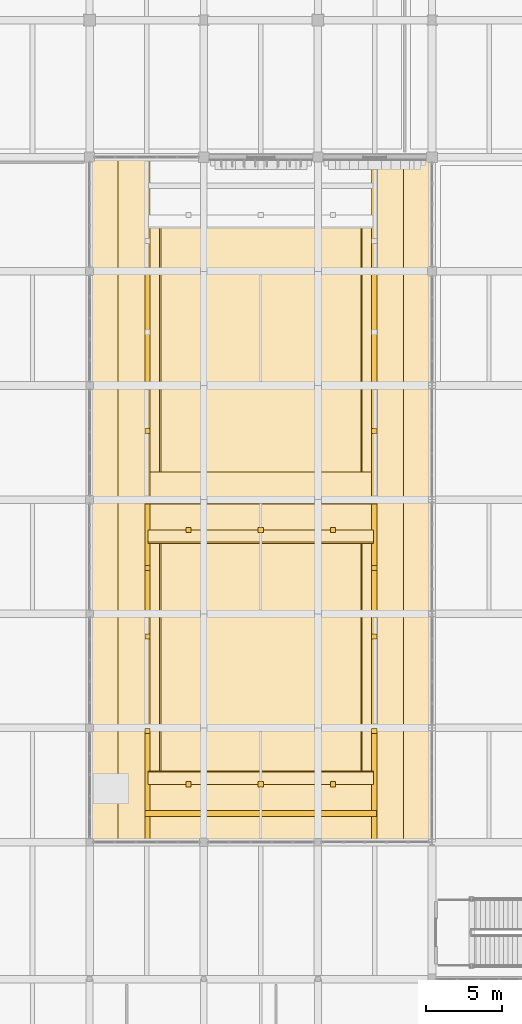
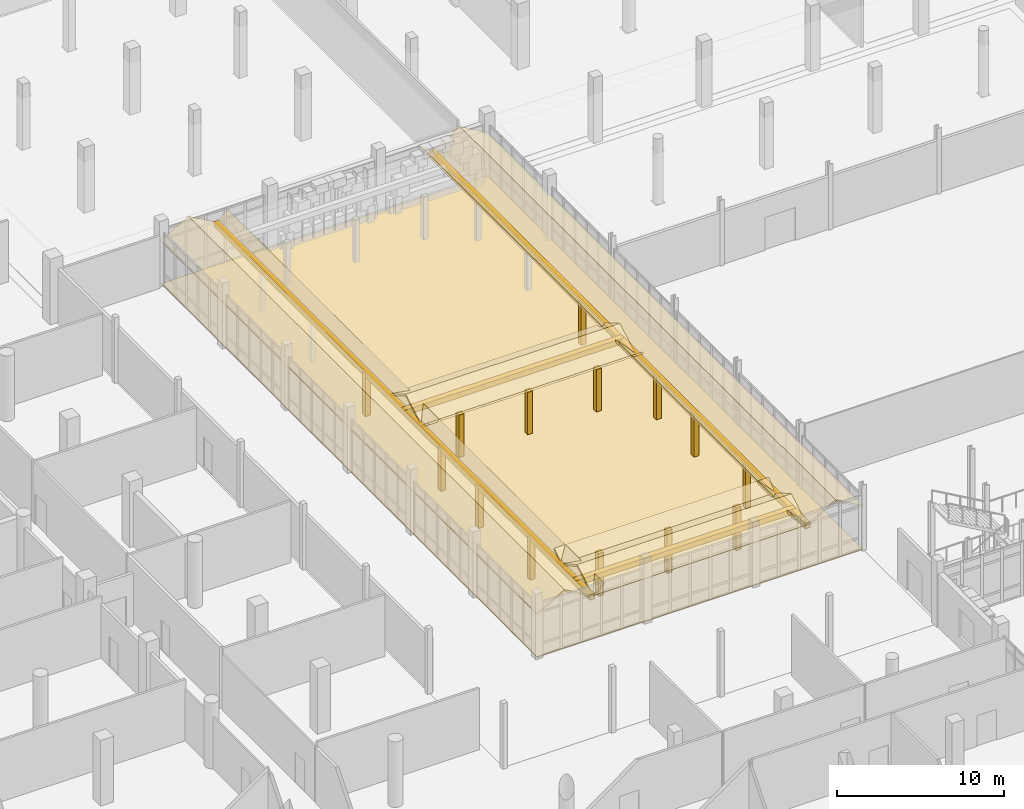
# One storey, part 104 of 125: 31 coverings.
"""IFC4 building model written with IfcOpenShell, lengths in metres."""

from ifc_helpers import new_model, si_unit, direction, frame, origin, origin_2d, place, context, subcontext, project, spatial, polyline, rectangle, outline, extrude, material, layer, layer_set, type_object, element, save


model = new_model("IFC4")

# Units and contexts
model_context = context("Model", 3, precision=1e-05, world=origin(), true_north=direction((0.0, 1.0)))
body_context = subcontext(model_context, "Body", "Model", "MODEL_VIEW")
ifc_project = project(units=[si_unit("LENGTHUNIT", "METRE"), si_unit("AREAUNIT", "SQUARE_METRE"), si_unit("VOLUMEUNIT", "CUBIC_METRE"), si_unit("PLANEANGLEUNIT", "RADIAN"), si_unit("MASSUNIT", "GRAM", prefix="KILO")], contexts=[model_context])

# Site, building, storey
site_placement = place(None, origin())
site = spatial("IfcSite", under=ifc_project, at=site_placement, CompositionType="ELEMENT")
building_placement = place(site_placement, origin())
building = spatial("IfcBuilding", under=site, at=building_placement, Name="Dalvernix Boulevard General Hospital", CompositionType="ELEMENT")
storey_placement = place(building_placement, origin())
storey = spatial("IfcBuildingStorey", under=building, at=storey_placement, Name="L00", CompositionType="ELEMENT", Elevation=0.0)

# Coverings
ifc_material_1 = material(Name="Permeable granite and clay boulevard paving", Category="masonry")
ifc_layer_1 = layer(ifc_material_1, 0.080078125)
ifc_layer_set_1 = layer_set([ifc_layer_1], Name="Permeable granite and clay boulevard paving (COV-PAV-01)")
covering_type_1 = type_object("IfcCoveringType", Name="COV-PAV-01", PredefinedType="USERDEFINED", material=ifc_layer_set_1)
covering_1_placement = place(storey_placement, frame((0.0, 0.0, -0.080078125)))
element("IfcCovering", 1, at=covering_1_placement, inside=storey, type_object=covering_type_1, Name="Exterior grade paving WEST-COURT", ObjectType="PAVING", PredefinedType="USERDEFINED", context=body_context, shape_type="SweptSolid", body=[
    extrude(outline(polyline([(37.5, 31.5), (60.0, 31.5), (60.0, 76.5), (37.5, 76.5), (37.5, 31.5)])), origin(), (0.0, 0.0, 1.0), 0.080078125),
])
ifc_material_2 = material(Name="Preservative-treated glulam GL28h cloister walkway post, beam and roof", Category="wood")
ifc_layer_2 = layer(ifc_material_2, 0.340087890625)
ifc_layer_set_2 = layer_set([ifc_layer_2], Name="Preservative-treated glulam GL28h cloister walkway post, beam and roof (COV-WKP-01)")
covering_type_2 = type_object("IfcCoveringType", Name="COV-WKP-01", PredefinedType="CLADDING", material=ifc_layer_set_2)
covering_2_placement = place(storey_placement, frame((41.300048828125, 54.0, 2.860107421875), z_axis=(0.0, 0.0, 1.0), x_axis=(1.0, 0.0, 0.0)))
element("IfcCovering", 2, at=covering_2_placement, inside=storey, type_object=covering_type_2, Name="WCOURT covered timber walkway eaves beam W", PredefinedType="CLADDING", context=body_context, shape_type="SweptSolid", body=[
    extrude(rectangle(XDim=0.340087890625, YDim=45.0, at=origin_2d()), origin(), (0.0, 0.0, 1.0), 0.3798828125),
])
for number, where, z_axis, x_axis, name in (
    (3, (41.300048828125, 38.800048828125, 0.0), (0.0, 0.0, 1.0), (1.0, 0.0, 0.0), "WCOURT covered timber walkway post W-1"),
    (4, (41.300048828125, 45.0, 0.0), (0.0, 0.0, 1.0), (1.0, 0.0, 0.0), "WCOURT covered timber walkway post W-2"),
    (5, (41.300048828125, 49.5, 0.0), (0.0, 0.0, 1.0), (1.0, 0.0, 0.0), "WCOURT covered timber walkway post W-3"),
    (6, (41.300048828125, 58.5, 0.0), (0.0, 0.0, 1.0), (1.0, 0.0, 0.0), "WCOURT covered timber walkway post W-4"),
):
    element("IfcCovering", number, at=place(storey_placement, frame(where, z_axis=z_axis, x_axis=x_axis)), inside=storey, type_object=covering_type_2, Name=name, PredefinedType="CLADDING", context=body_context, shape_type="SweptSolid", body=[
        extrude(rectangle(XDim=0.340087890625, YDim=0.340087890625, at=origin_2d()), origin(), (0.0, 0.0, 1.0), 3.10009765625),
    ])
for number, where, z_axis, x_axis, name in (
    (7, (37.449951171875, 31.5, 3.14990234375), (-0.496162654506, 0.0, 0.86822958961), (0.86822958961, 0.0, 0.496162654506), "WCOURT covered timber walkway pitched roof W-1"),
    (8, (39.375, 31.5, 4.25), (0.496162654506, 0.0, 0.86822958961), (0.86822958961, 0.0, -0.496162654506), "WCOURT covered timber walkway pitched roof W-2"),
):
    element("IfcCovering", number, at=place(storey_placement, frame(where, z_axis=z_axis, x_axis=x_axis)), inside=storey, type_object=covering_type_2, Name=name, PredefinedType="CLADDING", context=body_context, shape_type="SweptSolid", body=[
        extrude(outline(polyline([(0.0, 0.0), (2.2172117273621343, 0.0), (2.2172117273621343, 45.0), (0.0, 45.0), (0.0, 0.0)])), origin(), (0.0, 0.0, -1.0), 0.1298828125),
    ])
covering_3_placement = place(storey_placement, frame((41.300048828125, 31.5, 3.14990234375), z_axis=(-0.630655032425, 0.0, 0.776063289995), x_axis=(0.776063289995, 0.0, 0.630655032425)))
element("IfcCovering", 9, at=covering_3_placement, inside=storey, type_object=covering_type_2, Name="WCOURT covered timber walkway pitched roof W-3", PredefinedType="CLADDING", context=body_context, shape_type="SweptSolid", body=[
    extrude(outline(polyline([(0.0, 0.0), (1.0309066778954137, 0.0), (1.0309066778954137, 45.0), (0.0, 45.0), (0.0, 0.0)])), origin(), (0.0, 0.0, -1.0), 0.1298828125),
])
covering_4_placement = place(storey_placement, frame((56.199951171875, 54.0, 2.860107421875), z_axis=(0.0, 0.0, 1.0), x_axis=(1.0, 0.0, 0.0)))
element("IfcCovering", 10, at=covering_4_placement, inside=storey, type_object=covering_type_2, Name="WCOURT covered timber walkway eaves beam E", PredefinedType="CLADDING", context=body_context, shape_type="SweptSolid", body=[
    extrude(rectangle(XDim=0.340087890625, YDim=45.0, at=origin_2d()), origin(), (0.0, 0.0, 1.0), 0.3798828125),
])
for number, where, z_axis, x_axis, name in (
    (11, (56.199951171875, 38.800048828125, 0.0), (0.0, 0.0, 1.0), (1.0, 0.0, 0.0), "WCOURT covered timber walkway post E-1"),
    (12, (56.199951171875, 45.0, 0.0), (0.0, 0.0, 1.0), (1.0, 0.0, 0.0), "WCOURT covered timber walkway post E-2"),
    (13, (56.199951171875, 49.5, 0.0), (0.0, 0.0, 1.0), (1.0, 0.0, 0.0), "WCOURT covered timber walkway post E-3"),
    (14, (56.199951171875, 58.5, 0.0), (0.0, 0.0, 1.0), (1.0, 0.0, 0.0), "WCOURT covered timber walkway post E-4"),
):
    element("IfcCovering", number, at=place(storey_placement, frame(where, z_axis=z_axis, x_axis=x_axis)), inside=storey, type_object=covering_type_2, Name=name, PredefinedType="CLADDING", context=body_context, shape_type="SweptSolid", body=[
        extrude(rectangle(XDim=0.340087890625, YDim=0.340087890625, at=origin_2d()), origin(), (0.0, 0.0, 1.0), 3.10009765625),
    ])
for number, where, z_axis, x_axis, name in (
    (15, (56.199951171875, 31.5, 3.14990234375), (-0.496162654506, 0.0, 0.86822958961), (0.86822958961, 0.0, 0.496162654506), "WCOURT covered timber walkway pitched roof E-1"),
    (16, (58.125, 31.5, 4.25), (0.496162654506, 0.0, 0.86822958961), (0.86822958961, 0.0, -0.496162654506), "WCOURT covered timber walkway pitched roof E-2"),
):
    element("IfcCovering", number, at=place(storey_placement, frame(where, z_axis=z_axis, x_axis=x_axis)), inside=storey, type_object=covering_type_2, Name=name, PredefinedType="CLADDING", context=body_context, shape_type="SweptSolid", body=[
        extrude(outline(polyline([(0.0, 0.0), (2.2172117273621343, 0.0), (2.2172117273621343, 45.0), (0.0, 45.0), (0.0, 0.0)])), origin(), (0.0, 0.0, -1.0), 0.1298828125),
    ])
covering_5_placement = place(storey_placement, frame((56.199951171875, 31.5, 3.14990234375), z_axis=(0.630655032425, 0.0, 0.776063289995), x_axis=(-0.776063289995, 0.0, 0.630655032425)))
element("IfcCovering", 17, at=covering_5_placement, inside=storey, type_object=covering_type_2, Name="WCOURT covered timber walkway pitched roof E-3", PredefinedType="CLADDING", context=body_context, shape_type="SweptSolid", body=[
    extrude(outline(polyline([(0.0, 0.0), (1.0309066778954137, 0.0), (1.0309066778954137, -45.0), (0.0, -45.0), (0.0, 0.0)])), origin(), (0.0, 0.0, -1.0), 0.1298828125),
])
covering_6_placement = place(storey_placement, frame((48.75, 33.375, 2.860107421875), z_axis=(0.0, 0.0, 1.0), x_axis=(1.0, 0.0, 0.0)))
element("IfcCovering", 18, at=covering_6_placement, inside=storey, type_object=covering_type_2, Name="WCOURT covered timber walkway ridge beam S", PredefinedType="CLADDING", context=body_context, shape_type="SweptSolid", body=[
    extrude(rectangle(XDim=15.199951171875, YDim=0.3798828125, at=origin_2d()), origin(), (0.0, 0.0, 1.0), 0.3798828125),
])
for number, where, z_axis, x_axis, name in (
    (19, (44.0, 35.300048828125, 0.0), (0.0, 0.0, 1.0), (1.0, 0.0, 0.0), "WCOURT covered timber walkway post S-1"),
    (20, (48.75, 35.300048828125, 0.0), (0.0, 0.0, 1.0), (1.0, 0.0, 0.0), "WCOURT covered timber walkway post S-2"),
    (21, (53.5, 35.300048828125, 0.0), (0.0, 0.0, 1.0), (1.0, 0.0, 0.0), "WCOURT covered timber walkway post S-3"),
):
    element("IfcCovering", number, at=place(storey_placement, frame(where, z_axis=z_axis, x_axis=x_axis)), inside=storey, type_object=covering_type_2, Name=name, PredefinedType="CLADDING", context=body_context, shape_type="SweptSolid", body=[
        extrude(rectangle(XDim=0.340087890625, YDim=0.340087890625, at=origin_2d()), origin(), (0.0, 0.0, 1.0), 3.10009765625),
    ])
for number, where, z_axis, x_axis, name in (
    (22, (41.35009765625, 31.449951171875, 3.14990234375), (0.0, -0.496162654506, 0.86822958961), (1.0, 0.0, 0.0), "WCOURT covered timber walkway pitched roof S-1"),
    (23, (41.35009765625, 33.375, 4.25), (0.0, 0.496162654506, 0.86822958961), (1.0, 0.0, 0.0), "WCOURT covered timber walkway pitched roof S-2"),
):
    element("IfcCovering", number, at=place(storey_placement, frame(where, z_axis=z_axis, x_axis=x_axis)), inside=storey, type_object=covering_type_2, Name=name, PredefinedType="CLADDING", context=body_context, shape_type="SweptSolid", body=[
        extrude(outline(polyline([(0.0, 0.0), (14.7998046875, 0.0), (14.7998046875, 2.217211727362134), (0.0, 2.217211727362134), (0.0, 0.0)])), origin(), (0.0, 0.0, -1.0), 0.1298828125),
    ])
covering_7_placement = place(storey_placement, frame((41.35009765625, 35.300048828125, 3.14990234375), z_axis=(0.0, -0.630655032425, 0.776063289995), x_axis=(1.0, 0.0, 0.0)))
element("IfcCovering", 24, at=covering_7_placement, inside=storey, type_object=covering_type_2, Name="WCOURT covered timber walkway pitched roof S-3", PredefinedType="CLADDING", context=body_context, shape_type="SweptSolid", body=[
    extrude(outline(polyline([(0.0, 0.0), (14.7998046875, 0.0), (14.7998046875, 1.0309066778954135), (0.0, 1.0309066778954135), (0.0, 0.0)])), origin(), (0.0, 0.0, -1.0), 0.1298828125),
])
covering_8_placement = place(storey_placement, frame((48.75, 53.89990234375, 2.860107421875), z_axis=(0.0, 0.0, 1.0), x_axis=(1.0, 0.0, 0.0)))
element("IfcCovering", 25, at=covering_8_placement, inside=storey, type_object=covering_type_2, Name="WCOURT covered timber walkway ridge beam MID", PredefinedType="CLADDING", context=body_context, shape_type="SweptSolid", body=[
    extrude(rectangle(XDim=15.199951171875, YDim=0.3798828125, at=origin_2d()), origin(), (0.0, 0.0, 1.0), 0.3798828125),
])
for number, where, z_axis, x_axis, name in (
    (26, (44.0, 52.0, 0.0), (0.0, 0.0, 1.0), (1.0, 0.0, 0.0), "WCOURT covered timber walkway post MID-1"),
    (27, (48.75, 52.0, 0.0), (0.0, 0.0, 1.0), (1.0, 0.0, 0.0), "WCOURT covered timber walkway post MID-2"),
    (28, (53.5, 52.0, 0.0), (0.0, 0.0, 1.0), (1.0, 0.0, 0.0), "WCOURT covered timber walkway post MID-3"),
):
    element("IfcCovering", number, at=place(storey_placement, frame(where, z_axis=z_axis, x_axis=x_axis)), inside=storey, type_object=covering_type_2, Name=name, PredefinedType="CLADDING", context=body_context, shape_type="SweptSolid", body=[
        extrude(rectangle(XDim=0.340087890625, YDim=0.340087890625, at=origin_2d()), origin(), (0.0, 0.0, 1.0), 3.10009765625),
    ])
covering_9_placement = place(storey_placement, frame((41.35009765625, 52.0, 3.14990234375), z_axis=(0.0, -0.501088872721, 0.865395829453), x_axis=(1.0, 0.0, 0.0)))
element("IfcCovering", 29, at=covering_9_placement, inside=storey, type_object=covering_type_2, Name="WCOURT covered timber walkway pitched roof MID-1", PredefinedType="CLADDING", context=body_context, shape_type="SweptSolid", body=[
    extrude(outline(polyline([(0.0, 0.0), (14.7998046875, 0.0), (14.7998046875, 2.195414259103162), (0.0, 2.195414259103162), (0.0, 0.0)])), origin(), (0.0, 0.0, -1.0), 0.1298828125),
])
covering_10_placement = place(storey_placement, frame((41.35009765625, 53.89990234375, 4.25), z_axis=(0.0, 0.501040653706, 0.865423747845), x_axis=(1.0, 0.0, 0.0)))
element("IfcCovering", 30, at=covering_10_placement, inside=storey, type_object=covering_type_2, Name="WCOURT covered timber walkway pitched roof MID-2", PredefinedType="CLADDING", context=body_context, shape_type="SweptSolid", body=[
    extrude(outline(polyline([(0.0, 0.0), (14.7998046875, 0.0), (14.7998046875, 2.195625540790008), (0.0, 2.195625540790008), (0.0, 0.0)])), origin(), (0.0, 0.0, -1.0), 0.1298828125),
])
covering_11_placement = place(storey_placement, frame((41.35009765625, 52.0, 3.14990234375), z_axis=(0.0, 0.630655032425, 0.776063289995), x_axis=(1.0, 0.0, 0.0)))
element("IfcCovering", 31, at=covering_11_placement, inside=storey, type_object=covering_type_2, Name="WCOURT covered timber walkway pitched roof MID-3", PredefinedType="CLADDING", context=body_context, shape_type="SweptSolid", body=[
    extrude(outline(polyline([(0.0, 0.0), (14.7998046875, 0.0), (14.7998046875, -1.0309066778954135), (0.0, -1.0309066778954135), (0.0, 0.0)])), origin(), (0.0, 0.0, -1.0), 0.1298828125),
])

save(model, "model.ifc")
